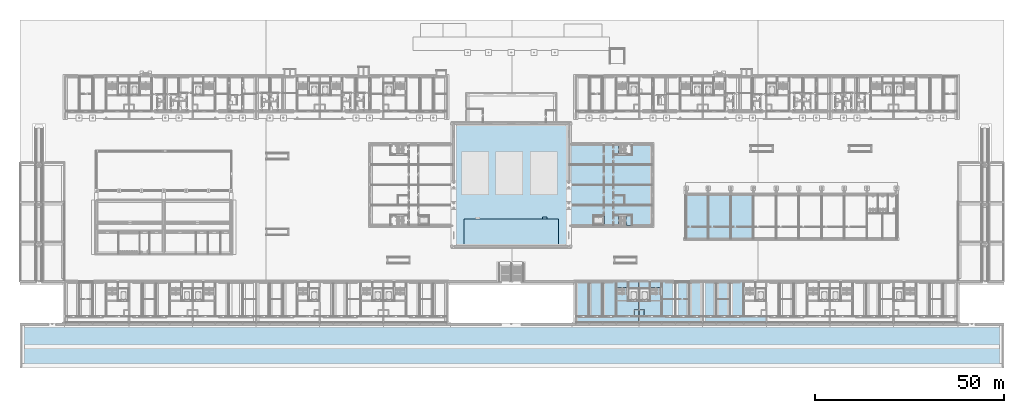
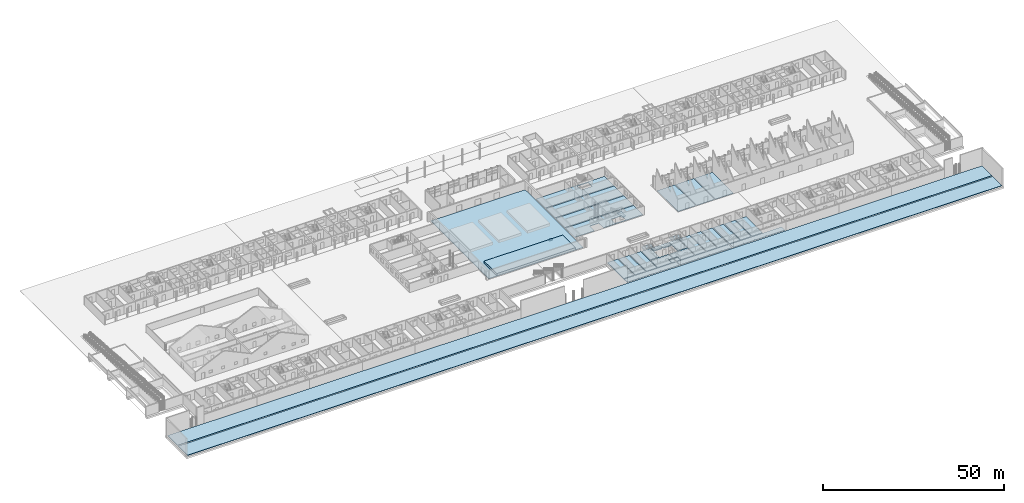
# One storey, part 32 of 112: 35 slabs, 3 elements without a shape of their own.
"""IFC4 building model written with IfcOpenShell, lengths in metres."""

from ifc_helpers import new_model, si_unit, direction, frame, origin, place, context, subcontext, project, spatial, polyline, outline, extrude, material, layer, layer_set, type_object, element, aggregate, save


model = new_model("IFC4")

# Units and contexts
model_context = context("Model", 3, precision=1e-05, world=origin(), true_north=direction((0.0, 1.0)))
body_context = subcontext(model_context, "Body", "Model", "MODEL_VIEW")
ifc_project = project(units=[si_unit("LENGTHUNIT", "METRE"), si_unit("AREAUNIT", "SQUARE_METRE"), si_unit("VOLUMEUNIT", "CUBIC_METRE"), si_unit("PLANEANGLEUNIT", "RADIAN"), si_unit("MASSUNIT", "GRAM", prefix="KILO")], contexts=[model_context])

# Site, building, storey
site_placement = place(None, origin())
site = spatial("IfcSite", under=ifc_project, at=site_placement, CompositionType="ELEMENT")
building_placement = place(site_placement, origin())
building = spatial("IfcBuilding", under=site, at=building_placement, Name="Ridgestep Commons", CompositionType="ELEMENT")
storey_placement = place(building_placement, origin())
storey = spatial("IfcBuildingStorey", under=building, at=storey_placement, Name="L00", CompositionType="ELEMENT", Elevation=0.0)

# Slabs
ifc_material_1 = material(Name="Concrete C30/37", Category="concrete")
ifc_layer_1 = layer(ifc_material_1, 0.14990234375)
ifc_layer_set_1 = layer_set([ifc_layer_1], Name="Community ground slab 150")
slab_type_1 = type_object("IfcSlabType", Name="Community ground slab 150", PredefinedType="BASESLAB", material=ifc_layer_set_1)
slab_1_placement = place(storey_placement, frame((0.0, 0.0, -0.14990234375)))
element("IfcSlab", 1, at=slab_1_placement, inside=storey, type_object=slab_type_1, Name="Community ground slab 150", PredefinedType="BASESLAB", context=body_context, shape_type="SweptSolid", body=[
    extrude(outline(polyline([(145.199951171875, 42.875), (166.89990234375, 42.875), (166.89990234375, 37.75), (154.39990234375, 37.75), (154.39990234375, 40.35009765625), (151.449951171875, 40.35009765625), (151.449951171875, 37.75), (145.199951171875, 37.75), (145.199951171875, 42.875)]), holes=[polyline([(158.169921875, 38.070068359375), (161.570068359375, 38.070068359375), (161.570068359375, 40.280029296875), (158.169921875, 40.280029296875), (158.169921875, 38.070068359375)])]), origin(), (0.0, 0.0, 1.0), 0.14990234375),
])
slab_2_placement = place(storey_placement, frame((0.0, 0.0, -0.14990234375)))
element("IfcSlab", 2, at=slab_2_placement, inside=storey, type_object=slab_type_1, Name="Community ground slab 150", PredefinedType="BASESLAB", context=body_context, shape_type="SweptSolid", body=[
    extrude(outline(polyline([(145.199951171875, 43.125), (166.89990234375, 43.125), (166.89990234375, 48.27490234375), (145.199951171875, 48.27490234375), (145.199951171875, 43.125)])), origin(), (0.0, 0.0, 1.0), 0.14990234375),
])
slab_3_placement = place(storey_placement, frame((0.0, 0.0, -0.14990234375)))
element("IfcSlab", 3, at=slab_3_placement, inside=storey, type_object=slab_type_1, Name="Community ground slab 150", PredefinedType="BASESLAB", context=body_context, shape_type="SweptSolid", body=[
    extrude(outline(polyline([(145.199951171875, 48.52490234375), (166.89990234375, 48.52490234375), (166.89990234375, 53.675048828125), (145.199951171875, 53.675048828125), (145.199951171875, 48.52490234375)])), origin(), (0.0, 0.0, 1.0), 0.14990234375),
])
slab_4_placement = place(storey_placement, frame((0.0, 0.0, -0.14990234375)))
element("IfcSlab", 4, at=slab_4_placement, inside=storey, type_object=slab_type_1, Name="Community ground slab 150", PredefinedType="BASESLAB", context=body_context, shape_type="SweptSolid", body=[
    extrude(outline(polyline([(145.199951171875, 59.050048828125), (166.89990234375, 59.050048828125), (166.89990234375, 53.925048828125), (145.199951171875, 53.925048828125), (145.199951171875, 59.050048828125)]), holes=[polyline([(161.570068359375, 58.72998046875), (158.169921875, 58.72998046875), (158.169921875, 56.52001953125), (161.570068359375, 56.52001953125), (161.570068359375, 58.72998046875)])]), origin(), (0.0, 0.0, 1.0), 0.14990234375),
])
slab_5_placement = place(storey_placement, frame((0.0, 0.0, -0.14990234375)))
element("IfcSlab", 5, at=slab_5_placement, inside=storey, type_object=slab_type_1, Name="Community ground slab 150", PredefinedType="BASESLAB", context=body_context, shape_type="SweptSolid", body=[
    extrude(outline(polyline([(114.800048828125, 32.39990234375), (144.800048828125, 32.39990234375), (144.800048828125, 64.39990234375), (114.800048828125, 64.39990234375), (114.800048828125, 32.39990234375)])), origin(), (0.0, 0.0, 1.0), 0.14990234375),
])
slab_6_placement = place(storey_placement, frame((0.0, 0.0, -0.14990234375)))
element("IfcSlab", 6, at=slab_6_placement, inside=storey, type_object=slab_type_1, Name="Community ground slab 150", PredefinedType="BASESLAB", context=body_context, shape_type="SweptSolid", body=[
    extrude(outline(polyline([(176.050048828125, 34.25), (181.675048828125, 34.25), (181.675048828125, 45.800048828125), (176.050048828125, 45.800048828125), (176.050048828125, 34.25)])), origin(), (0.0, 0.0, 1.0), 0.14990234375),
])
slab_7_placement = place(storey_placement, frame((0.0, 0.0, -0.14990234375)))
element("IfcSlab", 7, at=slab_7_placement, inside=storey, type_object=slab_type_1, Name="Community ground slab 150", PredefinedType="BASESLAB", context=body_context, shape_type="SweptSolid", body=[
    extrude(outline(polyline([(181.925048828125, 34.25), (187.675048828125, 34.25), (187.675048828125, 45.800048828125), (181.925048828125, 45.800048828125), (181.925048828125, 34.25)])), origin(), (0.0, 0.0, 1.0), 0.14990234375),
])
slab_8_placement = place(storey_placement, frame((0.0, 0.0, -0.14990234375)))
element("IfcSlab", 8, at=slab_8_placement, inside=storey, type_object=slab_type_1, Name="Community ground slab 150", PredefinedType="BASESLAB", context=body_context, shape_type="SweptSolid", body=[
    extrude(outline(polyline([(187.925048828125, 34.25), (193.675048828125, 34.25), (193.675048828125, 45.800048828125), (187.925048828125, 45.800048828125), (187.925048828125, 34.25)])), origin(), (0.0, 0.0, 1.0), 0.14990234375),
])

# Stair, slab
ifc_material_2 = material(Name="Concrete C30/37", Category="concrete")
stair_type_1 = type_object("IfcStairType", Name="Community stair", PredefinedType="HALF_TURN_STAIR", material=ifc_material_2)
stair_1_placement = place(storey_placement, origin())
stair_1 = element("IfcStair", 9, at=stair_1_placement, inside=storey, type_object=stair_type_1, Name="L00 AE-ST0", PredefinedType="HALF_TURN_STAIR")
ifc_material_3 = material(Name="Concrete C30/37", Category="concrete")
ifc_layer_2 = layer(ifc_material_3, 0.199951171875)
ifc_layer_set_2 = layer_set([ifc_layer_2], Name="Community stair landing slab 200")
slab_type_2 = type_object("IfcSlabType", Name="Community stair landing slab 200", PredefinedType="LANDING", material=ifc_layer_set_2)
slab_9_placement = place(storey_placement, frame((0.0, 0.0, 1.300048828125)))
slab_9 = element("IfcSlab", 10, at=slab_9_placement, type_object=slab_type_2, Name="AE-ST0 landing 1", PredefinedType="LANDING", context=body_context, shape_type="SweptSolid", body=[
    extrude(outline(polyline([(160.110107421875, 37.75), (161.590087890625, 37.75), (161.590087890625, 40.300048828125), (160.110107421875, 40.300048828125), (160.110107421875, 37.75)])), origin(), (0.0, 0.0, 1.0), 0.199951171875),
])
aggregate(stair_1, [slab_9])

# Slabs
ifc_material_4 = material(Name="Concrete C30/37", Category="concrete")
ifc_layer_3 = layer(ifc_material_4, 0.14990234375)
ifc_layer_set_3 = layer_set([ifc_layer_3], Name="Community undercroft floor slab 150")
slab_type_3 = type_object("IfcSlabType", Name="Community undercroft floor slab 150", PredefinedType="BASESLAB", material=ifc_layer_set_3)
slab_10_placement = place(storey_placement, frame((0.0, 0.0, -0.14990234375)))
element("IfcSlab", 11, at=slab_10_placement, inside=storey, type_object=slab_type_3, Name="Undercroft floor", PredefinedType="BASESLAB", context=body_context, shape_type="SweptSolid", body=[
    extrude(outline(polyline([(0.402099609375, 0.402099609375), (259.597900390625, 0.402099609375), (259.597900390625, 5.5), (0.402099609375, 5.5), (0.402099609375, 0.402099609375)])), origin(), (0.0, 0.0, 1.0), 0.14990234375),
])
slab_11_placement = place(storey_placement, frame((0.0, 0.0, -0.14990234375)))
element("IfcSlab", 12, at=slab_11_placement, inside=storey, type_object=slab_type_3, Name="Undercroft floor", PredefinedType="BASESLAB", context=body_context, shape_type="SweptSolid", body=[
    extrude(outline(polyline([(0.402099609375, 5.89990234375), (259.597900390625, 5.89990234375), (259.597900390625, 11.35009765625), (0.402099609375, 11.35009765625), (0.402099609375, 5.89990234375)])), origin(), (0.0, 0.0, 1.0), 0.14990234375),
])
ifc_material_5 = material(Name="Precast concrete C40/50", Category="concrete")
ifc_layer_4 = layer(ifc_material_5, 0.199951171875)
ifc_layer_set_4 = layer_set([ifc_layer_4], Name="Gallery slab 200")
slab_type_4 = type_object("IfcSlabType", Name="Gallery slab 200", PredefinedType="FLOOR", material=ifc_layer_set_4)
slab_12_placement = place(storey_placement, frame((0.0, 0.0, -0.199951171875)))
element("IfcSlab", 13, at=slab_12_placement, inside=storey, type_object=slab_type_4, Name="Gallery slab D1 L00", PredefinedType="FLOOR", context=body_context, shape_type="SweptSolid", body=[
    extrude(outline(polyline([(163.449951171875, 13.550048828125), (146.949951171875, 13.550048828125), (146.949951171875, 11.75), (150.27490234375, 11.75), (150.27490234375, 12.0), (150.52490234375, 12.0), (150.52490234375, 11.75), (153.875, 11.75), (153.875, 12.0), (154.125, 12.0), (154.125, 11.75), (157.47509765625, 11.75), (157.47509765625, 12.0), (157.72509765625, 12.0), (157.72509765625, 11.75), (163.449951171875, 11.75), (163.449951171875, 13.550048828125)])), origin(), (0.0, 0.0, 1.0), 0.199951171875),
])
slab_13_placement = place(storey_placement, frame((0.0, 0.0, -0.199951171875)))
element("IfcSlab", 14, at=slab_13_placement, inside=storey, type_object=slab_type_4, Name="Gallery slab D2 L00", PredefinedType="FLOOR", context=body_context, shape_type="SweptSolid", body=[
    extrude(outline(polyline([(180.25, 13.550048828125), (163.75, 13.550048828125), (163.75, 11.75), (169.47509765625, 11.75), (169.47509765625, 12.0), (169.72509765625, 12.0), (169.72509765625, 11.75), (173.074951171875, 11.75), (173.074951171875, 12.0), (173.324951171875, 12.0), (173.324951171875, 11.75), (176.675048828125, 11.75), (176.675048828125, 12.0), (176.925048828125, 12.0), (176.925048828125, 11.75), (180.25, 11.75), (180.25, 13.550048828125)])), origin(), (0.0, 0.0, 1.0), 0.199951171875),
])
slab_14_placement = place(storey_placement, frame((0.0, 0.0, -0.199951171875)))
element("IfcSlab", 15, at=slab_14_placement, inside=storey, type_object=slab_type_4, Name="Gallery slab D3 L00", PredefinedType="FLOOR", context=body_context, shape_type="SweptSolid", body=[
    extrude(outline(polyline([(197.050048828125, 13.550048828125), (180.550048828125, 13.550048828125), (180.550048828125, 11.75), (183.875, 11.75), (183.875, 12.0), (184.125, 12.0), (184.125, 11.75), (187.47509765625, 11.75), (187.47509765625, 12.0), (187.72509765625, 12.0), (187.72509765625, 11.75), (191.074951171875, 11.75), (191.074951171875, 12.0), (191.324951171875, 12.0), (191.324951171875, 11.75), (197.050048828125, 11.75), (197.050048828125, 13.550048828125)])), origin(), (0.0, 0.0, 1.0), 0.199951171875),
])
ifc_material_6 = material(Name="Concrete C30/37", Category="concrete")
ifc_layer_5 = layer(ifc_material_6, 0.25)
ifc_layer_set_5 = layer_set([ifc_layer_5], Name="Slab on grade 250")
slab_type_5 = type_object("IfcSlabType", Name="Slab on grade 250", PredefinedType="BASESLAB", material=ifc_layer_set_5)
slab_15_placement = place(storey_placement, frame((0.0, 0.0, -0.25)))
element("IfcSlab", 16, at=slab_15_placement, inside=storey, type_object=slab_type_5, Name="Slab on grade D1T1", PredefinedType="BASESLAB", context=body_context, shape_type="SweptSolid", body=[
    extrude(outline(polyline([(150.27490234375, 13.75), (150.27490234375, 22.75), (146.949951171875, 22.75), (146.949951171875, 13.75), (150.27490234375, 13.75)])), origin(), (0.0, 0.0, 1.0), 0.25),
])
slab_16_placement = place(storey_placement, frame((0.0, 0.0, -0.25)))
element("IfcSlab", 17, at=slab_16_placement, inside=storey, type_object=slab_type_5, Name="Slab on grade D1T2", PredefinedType="BASESLAB", context=body_context, shape_type="SweptSolid", body=[
    extrude(outline(polyline([(153.875, 13.75), (153.875, 22.75), (150.52490234375, 22.75), (150.52490234375, 13.75), (153.875, 13.75)])), origin(), (0.0, 0.0, 1.0), 0.25),
])
slab_17_placement = place(storey_placement, frame((0.0, 0.0, -0.25)))
element("IfcSlab", 18, at=slab_17_placement, inside=storey, type_object=slab_type_5, Name="Slab on grade D1T3", PredefinedType="BASESLAB", context=body_context, shape_type="SweptSolid", body=[
    extrude(outline(polyline([(157.47509765625, 13.75), (157.47509765625, 22.75), (154.125, 22.75), (154.125, 13.75), (157.47509765625, 13.75)])), origin(), (0.0, 0.0, 1.0), 0.25),
])
slab_18_placement = place(storey_placement, frame((0.0, 0.0, -0.25)))
element("IfcSlab", 19, at=slab_18_placement, inside=storey, type_object=slab_type_5, Name="Slab on grade D1C", PredefinedType="BASESLAB", context=body_context, shape_type="SweptSolid", body=[
    extrude(outline(polyline([(162.320068359375, 15.469970703125), (163.449951171875, 15.469970703125), (163.449951171875, 17.75), (157.72509765625, 17.75), (157.72509765625, 13.75), (162.199951171875, 13.75), (162.199951171875, 15.469970703125), (162.320068359375, 15.469970703125)])), origin(), (0.0, 0.0, 1.0), 0.25),
])
slab_19_placement = place(storey_placement, frame((0.0, 0.0, -0.25)))
element("IfcSlab", 20, at=slab_19_placement, inside=storey, type_object=slab_type_5, Name="Slab on grade D1C", PredefinedType="BASESLAB", context=body_context, shape_type="SweptSolid", body=[
    extrude(outline(polyline([(160.625, 22.75), (157.72509765625, 22.75), (157.72509765625, 17.949951171875), (160.625, 17.949951171875), (160.625, 22.75)])), origin(), (0.0, 0.0, 1.0), 0.25),
])
slab_20_placement = place(storey_placement, frame((0.0, 0.0, -0.25)))
element("IfcSlab", 21, at=slab_20_placement, inside=storey, type_object=slab_type_5, Name="Slab on grade D1C", PredefinedType="BASESLAB", context=body_context, shape_type="SweptSolid", body=[
    extrude(outline(polyline([(163.449951171875, 21.14990234375), (163.449951171875, 22.75), (160.824951171875, 22.75), (160.824951171875, 21.14990234375), (163.449951171875, 21.14990234375)])), origin(), (0.0, 0.0, 1.0), 0.25),
])
slab_21_placement = place(storey_placement, frame((0.0, 0.0, -0.25)))
element("IfcSlab", 22, at=slab_21_placement, inside=storey, type_object=slab_type_5, Name="Slab on grade D1C", PredefinedType="BASESLAB", context=body_context, shape_type="SweptSolid", body=[
    extrude(outline(polyline([(162.320068359375, 13.75), (163.449951171875, 13.75), (163.449951171875, 15.35009765625), (162.320068359375, 15.35009765625), (162.320068359375, 13.75)])), origin(), (0.0, 0.0, 1.0), 0.25),
])
slab_22_placement = place(storey_placement, frame((0.0, 0.0, -0.25)))
element("IfcSlab", 23, at=slab_22_placement, inside=storey, type_object=slab_type_5, Name="Slab on grade D2C", PredefinedType="BASESLAB", context=body_context, shape_type="SweptSolid", body=[
    extrude(outline(polyline([(165.0, 13.75), (169.47509765625, 13.75), (169.47509765625, 17.75), (163.75, 17.75), (163.75, 15.469970703125), (164.8798828125, 15.469970703125), (165.0, 15.469970703125), (165.0, 13.75)])), origin(), (0.0, 0.0, 1.0), 0.25),
])
slab_23_placement = place(storey_placement, frame((0.0, 0.0, -0.25)))
element("IfcSlab", 24, at=slab_23_placement, inside=storey, type_object=slab_type_5, Name="Slab on grade D2C", PredefinedType="BASESLAB", context=body_context, shape_type="SweptSolid", body=[
    extrude(outline(polyline([(169.47509765625, 17.949951171875), (169.47509765625, 22.75), (166.574951171875, 22.75), (166.574951171875, 17.949951171875), (169.47509765625, 17.949951171875)])), origin(), (0.0, 0.0, 1.0), 0.25),
])
slab_24_placement = place(storey_placement, frame((0.0, 0.0, -0.25)))
element("IfcSlab", 25, at=slab_24_placement, inside=storey, type_object=slab_type_5, Name="Slab on grade D2C", PredefinedType="BASESLAB", context=body_context, shape_type="SweptSolid", body=[
    extrude(outline(polyline([(166.375, 22.75), (163.75, 22.75), (163.75, 21.14990234375), (166.375, 21.14990234375), (166.375, 22.75)])), origin(), (0.0, 0.0, 1.0), 0.25),
])
slab_25_placement = place(storey_placement, frame((0.0, 0.0, -0.25)))
element("IfcSlab", 26, at=slab_25_placement, inside=storey, type_object=slab_type_5, Name="Slab on grade D2C", PredefinedType="BASESLAB", context=body_context, shape_type="SweptSolid", body=[
    extrude(outline(polyline([(164.8798828125, 15.35009765625), (163.75, 15.35009765625), (163.75, 13.75), (164.8798828125, 13.75), (164.8798828125, 15.35009765625)])), origin(), (0.0, 0.0, 1.0), 0.25),
])
slab_26_placement = place(storey_placement, frame((0.0, 0.0, -0.25)))
element("IfcSlab", 27, at=slab_26_placement, inside=storey, type_object=slab_type_5, Name="Slab on grade D2T3", PredefinedType="BASESLAB", context=body_context, shape_type="SweptSolid", body=[
    extrude(outline(polyline([(173.074951171875, 13.75), (173.074951171875, 22.75), (169.72509765625, 22.75), (169.72509765625, 13.75), (173.074951171875, 13.75)])), origin(), (0.0, 0.0, 1.0), 0.25),
])
slab_27_placement = place(storey_placement, frame((0.0, 0.0, -0.25)))
element("IfcSlab", 28, at=slab_27_placement, inside=storey, type_object=slab_type_5, Name="Slab on grade D2T2", PredefinedType="BASESLAB", context=body_context, shape_type="SweptSolid", body=[
    extrude(outline(polyline([(176.675048828125, 13.75), (176.675048828125, 22.75), (173.324951171875, 22.75), (173.324951171875, 13.75), (176.675048828125, 13.75)])), origin(), (0.0, 0.0, 1.0), 0.25),
])
slab_28_placement = place(storey_placement, frame((0.0, 0.0, -0.25)))
element("IfcSlab", 29, at=slab_28_placement, inside=storey, type_object=slab_type_5, Name="Slab on grade D2T1", PredefinedType="BASESLAB", context=body_context, shape_type="SweptSolid", body=[
    extrude(outline(polyline([(180.25, 13.75), (180.25, 22.75), (176.925048828125, 22.75), (176.925048828125, 13.75), (180.25, 13.75)])), origin(), (0.0, 0.0, 1.0), 0.25),
])
slab_29_placement = place(storey_placement, frame((0.0, 0.0, -0.25)))
element("IfcSlab", 30, at=slab_29_placement, inside=storey, type_object=slab_type_5, Name="Slab on grade D3T1", PredefinedType="BASESLAB", context=body_context, shape_type="SweptSolid", body=[
    extrude(outline(polyline([(183.875, 13.75), (183.875, 22.75), (180.550048828125, 22.75), (180.550048828125, 13.75), (183.875, 13.75)])), origin(), (0.0, 0.0, 1.0), 0.25),
])
slab_30_placement = place(storey_placement, frame((0.0, 0.0, -0.25)))
element("IfcSlab", 31, at=slab_30_placement, inside=storey, type_object=slab_type_5, Name="Slab on grade D3T2", PredefinedType="BASESLAB", context=body_context, shape_type="SweptSolid", body=[
    extrude(outline(polyline([(187.47509765625, 13.75), (187.47509765625, 22.75), (184.125, 22.75), (184.125, 13.75), (187.47509765625, 13.75)])), origin(), (0.0, 0.0, 1.0), 0.25),
])
slab_31_placement = place(storey_placement, frame((0.0, 0.0, -0.25)))
element("IfcSlab", 32, at=slab_31_placement, inside=storey, type_object=slab_type_5, Name="Slab on grade D3T3", PredefinedType="BASESLAB", context=body_context, shape_type="SweptSolid", body=[
    extrude(outline(polyline([(191.074951171875, 13.75), (191.074951171875, 22.75), (187.72509765625, 22.75), (187.72509765625, 13.75), (191.074951171875, 13.75)])), origin(), (0.0, 0.0, 1.0), 0.25),
])
ifc_material_7 = material(Name="Concrete C30/37", Category="concrete")
ifc_layer_6 = layer(ifc_material_7, 0.75)
ifc_layer_set_6 = layer_set([ifc_layer_6], Name="Stage platform 750")
slab_type_6 = type_object("IfcSlabType", Name="Stage platform 750", PredefinedType="FLOOR", material=ifc_layer_set_6)
slab_32_placement = place(storey_placement, origin())
element("IfcSlab", 33, at=slab_32_placement, inside=storey, type_object=slab_type_6, Name="Stage platform 750", PredefinedType="FLOOR", context=body_context, shape_type="SweptSolid", body=[
    extrude(outline(polyline([(117.300048828125, 32.39990234375), (142.300048828125, 32.39990234375), (142.300048828125, 39.39990234375), (117.300048828125, 39.39990234375), (117.300048828125, 32.39990234375)])), origin(), (0.0, 0.0, 1.0), 0.75),
])
ifc_material_8 = material(Name="Concrete C30/37", Category="concrete")
ifc_layer_7 = layer(ifc_material_8, 0.375)
ifc_layer_set_7 = layer_set([ifc_layer_7], Name="Stage step 375")
slab_type_7 = type_object("IfcSlabType", Name="Stage step 375", PredefinedType="FLOOR", material=ifc_layer_set_7)
slab_33_placement = place(storey_placement, origin())
element("IfcSlab", 34, at=slab_33_placement, inside=storey, type_object=slab_type_7, Name="Stage step", PredefinedType="FLOOR", context=body_context, shape_type="SweptSolid", body=[
    extrude(outline(polyline([(138.10009765625, 39.39990234375), (139.300048828125, 39.39990234375), (139.300048828125, 40.0), (138.10009765625, 40.0), (138.10009765625, 39.39990234375)])), origin(), (0.0, 0.0, 1.0), 0.375),
])

# Stair, slab
ifc_material_9 = material(Name="Precast concrete C40/50", Category="concrete")
stair_type_2 = type_object("IfcStairType", Name="Escape stair 1400", PredefinedType="HALF_TURN_STAIR", material=ifc_material_9)
stair_2_placement = place(storey_placement, origin())
stair_2 = element("IfcStair", 35, at=stair_2_placement, inside=storey, type_object=stair_type_2, Name="L00 Escape stair D1C", PredefinedType="HALF_TURN_STAIR")
ifc_material_10 = material(Name="Precast concrete C40/50", Category="concrete")
ifc_layer_8 = layer(ifc_material_10, 0.199951171875)
ifc_layer_set_8 = layer_set([ifc_layer_8], Name="Stair landing 200")
slab_type_8 = type_object("IfcSlabType", Name="Stair landing 200", PredefinedType="LANDING", material=ifc_layer_set_8)
slab_34_placement = place(storey_placement, frame((0.0, 0.0, 1.300048828125)))
slab_34 = element("IfcSlab", 36, at=slab_34_placement, type_object=slab_type_8, Name="D1C landing 1", PredefinedType="LANDING", context=body_context, shape_type="SweptSolid", body=[
    extrude(outline(polyline([(160.625, 21.31005859375), (160.625, 22.75), (157.72509765625, 22.75), (157.72509765625, 21.31005859375), (160.625, 21.31005859375)])), origin(), (0.0, 0.0, 1.0), 0.199951171875),
])
aggregate(stair_2, [slab_34])

stair_3_placement = place(storey_placement, origin())
stair_3 = element("IfcStair", 37, at=stair_3_placement, inside=storey, type_object=stair_type_2, Name="L00 Escape stair D2C", PredefinedType="HALF_TURN_STAIR")
slab_35_placement = place(storey_placement, frame((0.0, 0.0, 1.300048828125)))
slab_35 = element("IfcSlab", 38, at=slab_35_placement, type_object=slab_type_8, Name="D2C landing 1", PredefinedType="LANDING", context=body_context, shape_type="SweptSolid", body=[
    extrude(outline(polyline([(169.47509765625, 21.31005859375), (169.47509765625, 22.75), (166.574951171875, 22.75), (166.574951171875, 21.31005859375), (169.47509765625, 21.31005859375)])), origin(), (0.0, 0.0, 1.0), 0.199951171875),
])
aggregate(stair_3, [slab_35])

save(model, "model.ifc")
